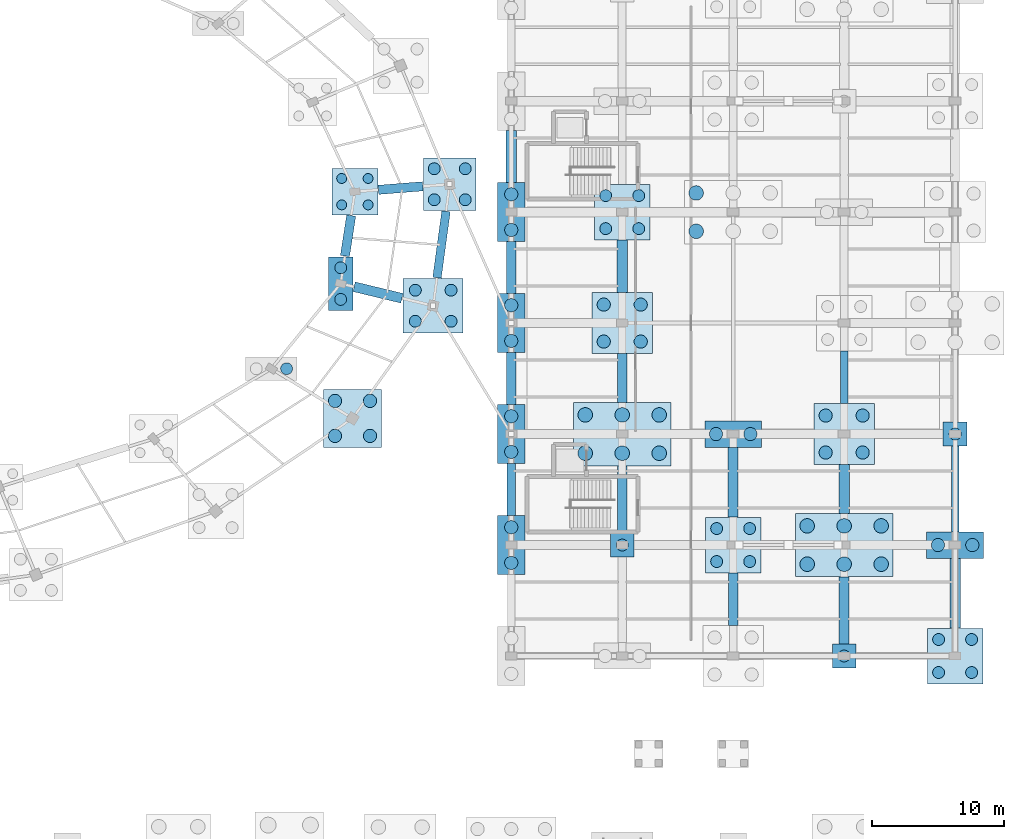
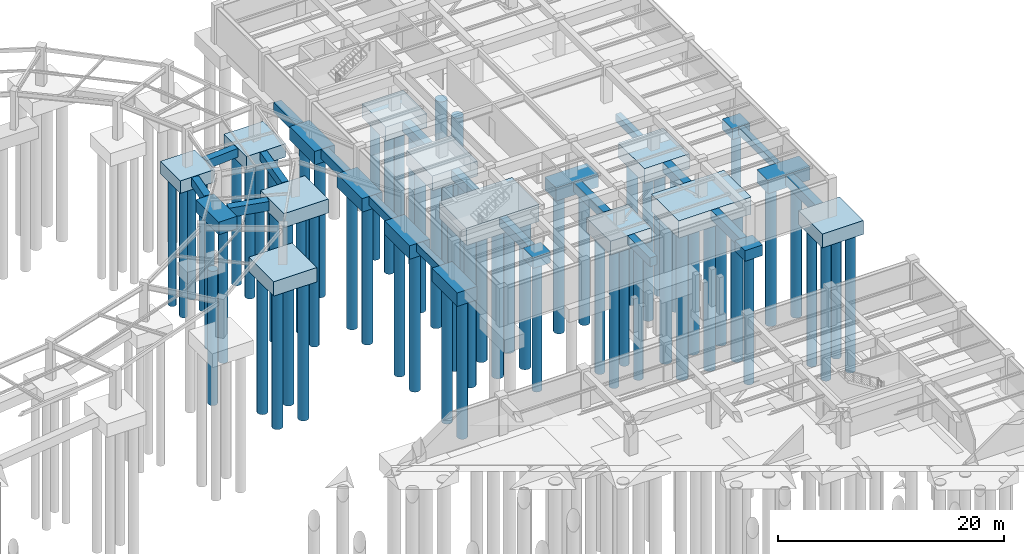
# One storey, part 9 of 38: 68 piles, 39 footings.
"""IFC4 building model written with IfcOpenShell, lengths in metres."""

from ifc_helpers import new_model, si_unit, direction, frame, origin, origin_2d, place, context, subcontext, project, spatial, polyline, rectangle, circle, outline, extrude, material, material_profile, profile_set, type_object, element, save


model = new_model("IFC4")

# Units and contexts
model_context = context("Model", 3, precision=1e-05, world=origin(), true_north=direction((0.0, 1.0)))
body_context = subcontext(model_context, "Body", "Model", "MODEL_VIEW")
ifc_project = project(units=[si_unit("LENGTHUNIT", "METRE"), si_unit("AREAUNIT", "SQUARE_METRE"), si_unit("VOLUMEUNIT", "CUBIC_METRE"), si_unit("PLANEANGLEUNIT", "RADIAN"), si_unit("MASSUNIT", "GRAM", prefix="KILO"), si_unit("THERMODYNAMICTEMPERATUREUNIT", "KELVIN"), si_unit("POWERUNIT", "WATT")], contexts=[model_context])

# Site, building, storey
site_placement = place(None, origin())
site = spatial("IfcSite", under=ifc_project, at=site_placement, CompositionType="ELEMENT")
building_placement = place(site_placement, origin())
building = spatial("IfcBuilding", under=site, at=building_placement, Name="Darbajah Civic Hall", CompositionType="ELEMENT")
storey_placement = place(building_placement, frame((0.0, 0.0, -4.199951171875)))
storey = spatial("IfcBuildingStorey", under=building, at=storey_placement, Name="B01", CompositionType="ELEMENT", Elevation=-4.199951171875)

# Piles
ifc_material = material(Name="Concrete C45/55", Category="concrete")
ifc_material_profile_1 = material_profile(ifc_material, circle(Radius=0.5, at=origin_2d()), Name="BORED PILE D1000")
ifc_profile_set_1 = profile_set([ifc_material_profile_1], Name="Concrete C45/55")
pile_type_1 = type_object("IfcPileType", Name="BORED PILE D1000", PredefinedType="BORED", material=ifc_profile_set_1)
for number, where, z_axis, x_axis, name in (
    (1, (131.259521484375, 73.061279296875, -1.449951171875), (0.0, 0.0, -1.0), (1.0, 0.0, 0.0), "B01 bored pile P-1000 V1O-18-1"),
    (2, (133.90966796875, 73.061279296875, -1.449951171875), (0.0, 0.0, -1.0), (1.0, 0.0, 0.0), "B01 bored pile P-1000 V1O-18-2"),
    (3, (131.259521484375, 75.711181640625, -1.449951171875), (0.0, 0.0, -1.0), (1.0, 0.0, 0.0), "B01 bored pile P-1000 V1O-18-3"),
    (4, (133.90966796875, 75.711181640625, -1.449951171875), (0.0, 0.0, -1.0), (1.0, 0.0, 0.0), "B01 bored pile P-1000 V1O-18-4"),
    (5, (144.60009765625, 63.449951171875, -1.35009765625), (0.0, 0.0, -1.0), (1.0, 0.0, 0.0), "B01 bored pile P-1000 V4-00-01-1"),
    (6, (144.60009765625, 66.14990234375, -1.35009765625), (0.0, 0.0, -1.0), (1.0, 0.0, 0.0), "B01 bored pile P-1000 V4-00-01-2"),
    (7, (144.60009765625, 71.85009765625, -1.35009765625), (0.0, 0.0, -1.0), (1.0, 0.0, 0.0), "B01 bored pile P-1000 V4-00-02-1"),
    (8, (144.60009765625, 74.550048828125, -1.35009765625), (0.0, 0.0, -1.0), (1.0, 0.0, 0.0), "B01 bored pile P-1000 V4-00-02-2"),
    (9, (144.60009765625, 80.25, -1.35009765625), (0.0, 0.0, -1.0), (1.0, 0.0, 0.0), "B01 bored pile P-1000 V4-00-03-1"),
    (10, (144.60009765625, 82.949951171875, -1.35009765625), (0.0, 0.0, -1.0), (1.0, 0.0, 0.0), "B01 bored pile P-1000 V4-00-03-2"),
    (11, (144.60009765625, 88.64990234375, -1.35009765625), (0.0, 0.0, -1.0), (1.0, 0.0, 0.0), "B01 bored pile P-1000 V4-00-04-1"),
    (12, (144.60009765625, 91.35009765625, -1.35009765625), (0.0, 0.0, -1.0), (1.0, 0.0, 0.0), "B01 bored pile P-1000 V4-00-04-2"),
):
    element("IfcPile", number, at=place(storey_placement, frame(where, z_axis=z_axis, x_axis=x_axis)), inside=storey, type_object=pile_type_1, Name=name, PredefinedType="BORED", context=body_context, shape_type="SweptSolid", body=[
        extrude(circle(Radius=0.5, at=origin_2d()), origin(), (0.0, 0.0, 1.0), 15.0),
    ])
for number, where, z_axis, x_axis, name in (
    (13, (151.60009765625, 80.199951171875, -1.5), (0.0, 0.0, -1.0), (1.0, 0.0, 0.0), "B01 bored pile P-1000 V4-01-03-1"),
    (14, (154.39990234375, 80.199951171875, -1.5), (0.0, 0.0, -1.0), (1.0, 0.0, 0.0), "B01 bored pile P-1000 V4-01-03-2"),
    (15, (151.60009765625, 83.0, -1.5), (0.0, 0.0, -1.0), (1.0, 0.0, 0.0), "B01 bored pile P-1000 V4-01-03-3"),
    (16, (154.39990234375, 83.0, -1.5), (0.0, 0.0, -1.0), (1.0, 0.0, 0.0), "B01 bored pile P-1000 V4-01-03-4"),
):
    element("IfcPile", number, at=place(storey_placement, frame(where, z_axis=z_axis, x_axis=x_axis)), inside=storey, type_object=pile_type_1, Name=name, PredefinedType="BORED", context=body_context, shape_type="SweptSolid", body=[
        extrude(circle(Radius=0.5, at=origin_2d()), origin(), (0.0, 0.0, 1.0), 15.5),
    ])
for number, where, z_axis, x_axis, name in (
    (17, (160.10009765625, 73.199951171875, -1.300048828125), (0.0, 0.0, -1.0), (1.0, 0.0, 0.0), "B01 bored pile P-1000 V4-02-02-1"),
    (18, (162.699951171875, 73.199951171875, -1.300048828125), (0.0, 0.0, -1.0), (1.0, 0.0, 0.0), "B01 bored pile P-1000 V4-02-02-2"),
):
    element("IfcPile", number, at=place(storey_placement, frame(where, z_axis=z_axis, x_axis=x_axis)), inside=storey, type_object=pile_type_1, Name=name, PredefinedType="BORED", context=body_context, shape_type="SweptSolid", body=[
        extrude(circle(Radius=0.5, at=origin_2d()), origin(), (0.0, 0.0, 1.0), 15.0),
    ])
for number, where, z_axis, x_axis, name in (
    (19, (168.39990234375, 71.800048828125, -1.5), (0.0, 0.0, -1.0), (1.0, 0.0, 0.0), "B01 bored pile P-1000 V4-03-02-1"),
    (20, (171.199951171875, 71.800048828125, -1.5), (0.0, 0.0, -1.0), (1.0, 0.0, 0.0), "B01 bored pile P-1000 V4-03-02-2"),
    (21, (168.39990234375, 74.60009765625, -1.5), (0.0, 0.0, -1.0), (1.0, 0.0, 0.0), "B01 bored pile P-1000 V4-03-02-3"),
    (22, (171.199951171875, 74.60009765625, -1.5), (0.0, 0.0, -1.0), (1.0, 0.0, 0.0), "B01 bored pile P-1000 V4-03-02-4"),
):
    element("IfcPile", number, at=place(storey_placement, frame(where, z_axis=z_axis, x_axis=x_axis)), inside=storey, type_object=pile_type_1, Name=name, PredefinedType="BORED", context=body_context, shape_type="SweptSolid", body=[
        extrude(circle(Radius=0.5, at=origin_2d()), origin(), (0.0, 0.0, 1.0), 15.5),
    ])
for number, where, z_axis, x_axis, name in (
    (23, (176.89990234375, 64.800048828125, -1.300048828125), (0.0, 0.0, -1.0), (1.0, 0.0, 0.0), "B01 bored pile P-1000 V4-04-01-1"),
    (24, (179.5, 64.800048828125, -1.300048828125), (0.0, 0.0, -1.0), (1.0, 0.0, 0.0), "B01 bored pile P-1000 V4-04-01-2"),
):
    element("IfcPile", number, at=place(storey_placement, frame(where, z_axis=z_axis, x_axis=x_axis)), inside=storey, type_object=pile_type_1, Name=name, PredefinedType="BORED", context=body_context, shape_type="SweptSolid", body=[
        extrude(circle(Radius=0.5, at=origin_2d()), origin(), (0.0, 0.0, 1.0), 15.0),
    ])
ifc_material_profile_2 = material_profile(ifc_material, circle(Radius=0.550048828125, at=origin_2d()), Name="BORED PILE D1100")
ifc_profile_set_2 = profile_set([ifc_material_profile_2], Name="Concrete C45/55")
pile_type_2 = type_object("IfcPileType", Name="BORED PILE D1100", PredefinedType="BORED", material=ifc_profile_set_2)
for number, where, z_axis, x_axis, name in (
    (25, (150.199951171875, 71.75, -1.75), (0.0, 0.0, -1.0), (1.0, 0.0, 0.0), "B01 bored pile P-1100 V4-01-02-1"),
    (26, (153.0, 71.75, -1.75), (0.0, 0.0, -1.0), (1.0, 0.0, 0.0), "B01 bored pile P-1100 V4-01-02-2"),
    (27, (155.800048828125, 71.75, -1.75), (0.0, 0.0, -1.0), (1.0, 0.0, 0.0), "B01 bored pile P-1100 V4-01-02-3"),
    (28, (150.199951171875, 74.64990234375, -1.75), (0.0, 0.0, -1.0), (1.0, 0.0, 0.0), "B01 bored pile P-1100 V4-01-02-4"),
    (29, (153.0, 74.64990234375, -1.75), (0.0, 0.0, -1.0), (1.0, 0.0, 0.0), "B01 bored pile P-1100 V4-01-02-5"),
    (30, (155.800048828125, 74.64990234375, -1.75), (0.0, 0.0, -1.0), (1.0, 0.0, 0.0), "B01 bored pile P-1100 V4-01-02-6"),
    (31, (158.60009765625, 88.550048828125, -1.75), (0.0, 0.0, -1.0), (1.0, 0.0, 0.0), "B01 bored pile P-1100 V4-02-04-1"),
    (32, (158.60009765625, 91.449951171875, -1.75), (0.0, 0.0, -1.0), (1.0, 0.0, 0.0), "B01 bored pile P-1100 V4-02-04-4"),
    (33, (167.0, 63.35009765625, -1.75), (0.0, 0.0, -1.0), (1.0, 0.0, 0.0), "B01 bored pile P-1100 V4-03-01-1"),
    (34, (169.800048828125, 63.35009765625, -1.75), (0.0, 0.0, -1.0), (1.0, 0.0, 0.0), "B01 bored pile P-1100 V4-03-01-2"),
    (35, (172.60009765625, 63.35009765625, -1.75), (0.0, 0.0, -1.0), (1.0, 0.0, 0.0), "B01 bored pile P-1100 V4-03-01-3"),
    (36, (167.0, 66.25, -1.75), (0.0, 0.0, -1.0), (1.0, 0.0, 0.0), "B01 bored pile P-1100 V4-03-01-4"),
    (37, (169.800048828125, 66.25, -1.75), (0.0, 0.0, -1.0), (1.0, 0.0, 0.0), "B01 bored pile P-1100 V4-03-01-5"),
    (38, (172.60009765625, 66.25, -1.75), (0.0, 0.0, -1.0), (1.0, 0.0, 0.0), "B01 bored pile P-1100 V4-03-01-6"),
):
    element("IfcPile", number, at=place(storey_placement, frame(where, z_axis=z_axis, x_axis=x_axis)), inside=storey, type_object=pile_type_2, Name=name, PredefinedType="BORED", context=body_context, shape_type="SweptSolid", body=[
        extrude(circle(Radius=0.550048828125, at=origin_2d()), origin(), (0.0, 0.0, 1.0), 16.0),
    ])
ifc_material_profile_3 = material_profile(ifc_material, circle(Radius=0.375, at=origin_2d()), Name="BORED PILE D750")
ifc_profile_set_3 = profile_set([ifc_material_profile_3], Name="Concrete C45/55")
pile_type_3 = type_object("IfcPileType", Name="BORED PILE D750", PredefinedType="BORED", material=ifc_profile_set_3)
for number, where, z_axis, x_axis, name in (
    (39, (131.764892578125, 90.549560546875, -1.25), (0.0, 0.0, -1.0), (1.0, 0.0, 0.0), "B01 bored pile P-750 V1I-00-1"),
    (40, (133.764892578125, 90.549560546875, -1.25), (0.0, 0.0, -1.0), (1.0, 0.0, 0.0), "B01 bored pile P-750 V1I-00-2"),
    (41, (131.764892578125, 92.549560546875, -1.25), (0.0, 0.0, -1.0), (1.0, 0.0, 0.0), "B01 bored pile P-750 V1I-00-3"),
    (42, (133.764892578125, 92.549560546875, -1.25), (0.0, 0.0, -1.0), (1.0, 0.0, 0.0), "B01 bored pile P-750 V1I-00-4"),
):
    element("IfcPile", number, at=place(storey_placement, frame(where, z_axis=z_axis, x_axis=x_axis)), inside=storey, type_object=pile_type_3, Name=name, PredefinedType="BORED", context=body_context, shape_type="SweptSolid", body=[
        extrude(circle(Radius=0.375, at=origin_2d()), origin(), (0.0, 0.0, 1.0), 14.0),
    ])
ifc_material_profile_4 = material_profile(ifc_material, circle(Radius=0.449951171875, at=origin_2d()), Name="BORED PILE D900")
ifc_profile_set_4 = profile_set([ifc_material_profile_4], Name="Concrete C45/55")
pile_type_4 = type_object("IfcPileType", Name="BORED PILE D900", PredefinedType="BORED", material=ifc_profile_set_4)
for number, where, z_axis, x_axis, name in (
    (43, (138.767822265625, 90.939453125, -1.35009765625), (0.0, 0.0, -1.0), (1.0, 0.0, 0.0), "B01 bored pile P-900 V1O-00-1"),
    (44, (141.117919921875, 90.939453125, -1.35009765625), (0.0, 0.0, -1.0), (1.0, 0.0, 0.0), "B01 bored pile P-900 V1O-00-2"),
    (45, (138.767822265625, 93.28955078125, -1.35009765625), (0.0, 0.0, -1.0), (1.0, 0.0, 0.0), "B01 bored pile P-900 V1O-00-3"),
    (46, (141.117919921875, 93.28955078125, -1.35009765625), (0.0, 0.0, -1.0), (1.0, 0.0, 0.0), "B01 bored pile P-900 V1O-00-4"),
    (47, (127.595703125, 78.148193359375, -1.199951171875), (0.0, 0.0, -1.0), (1.0, 0.0, 0.0), "B01 bored pile P-900 V1I-18-2"),
    (48, (137.3408203125, 81.73828125, -1.420166015625), (0.0, 0.0, -1.0), (1.0, 0.0, 0.0), "B01 bored pile P-900 V1O-19-1"),
    (49, (140.041015625, 81.73828125, -1.420166015625), (0.0, 0.0, -1.0), (1.0, 0.0, 0.0), "B01 bored pile P-900 V1O-19-2"),
    (50, (137.3408203125, 84.08837890625, -1.420166015625), (0.0, 0.0, -1.0), (1.0, 0.0, 0.0), "B01 bored pile P-900 V1O-19-3"),
    (51, (140.041015625, 84.08837890625, -1.420166015625), (0.0, 0.0, -1.0), (1.0, 0.0, 0.0), "B01 bored pile P-900 V1O-19-4"),
    (52, (131.689697265625, 83.394287109375, -1.25), (0.0, 0.0, -1.0), (1.0, 0.0, 0.0), "B01 bored pile P-900 V1I-19-1"),
    (53, (131.689697265625, 85.794189453125, -1.25), (0.0, 0.0, -1.0), (1.0, 0.0, 0.0), "B01 bored pile P-900 V1I-19-2"),
):
    element("IfcPile", number, at=place(storey_placement, frame(where, z_axis=z_axis, x_axis=x_axis)), inside=storey, type_object=pile_type_4, Name=name, PredefinedType="BORED", context=body_context, shape_type="SweptSolid", body=[
        extrude(circle(Radius=0.449951171875, at=origin_2d()), origin(), (0.0, 0.0, 1.0), 14.5),
    ])
pile_1_placement = place(storey_placement, frame((153.0, 64.800048828125, -1.050048828125), z_axis=(0.0, 0.0, -1.0), x_axis=(1.0, 0.0, 0.0)))
element("IfcPile", 54, at=pile_1_placement, inside=storey, type_object=pile_type_4, Name="B01 bored pile P-900 V4-01-01-1", PredefinedType="BORED", context=body_context, shape_type="SweptSolid", body=[
    extrude(circle(Radius=0.449951171875, at=origin_2d()), origin(), (0.0, 0.0, 1.0), 14.0),
])
for number, where, z_axis, x_axis, name in (
    (55, (151.75, 88.75, -1.400146484375), (0.0, 0.0, -1.0), (1.0, 0.0, 0.0), "B01 bored pile P-900 V4-01-04-1"),
    (56, (154.25, 88.75, -1.400146484375), (0.0, 0.0, -1.0), (1.0, 0.0, 0.0), "B01 bored pile P-900 V4-01-04-2"),
    (57, (151.75, 91.25, -1.400146484375), (0.0, 0.0, -1.0), (1.0, 0.0, 0.0), "B01 bored pile P-900 V4-01-04-3"),
    (58, (154.25, 91.25, -1.400146484375), (0.0, 0.0, -1.0), (1.0, 0.0, 0.0), "B01 bored pile P-900 V4-01-04-4"),
    (59, (160.14990234375, 63.550048828125, -1.400146484375), (0.0, 0.0, -1.0), (1.0, 0.0, 0.0), "B01 bored pile P-900 V4-02-01-1"),
    (60, (162.64990234375, 63.550048828125, -1.400146484375), (0.0, 0.0, -1.0), (1.0, 0.0, 0.0), "B01 bored pile P-900 V4-02-01-2"),
    (61, (160.14990234375, 66.050048828125, -1.400146484375), (0.0, 0.0, -1.0), (1.0, 0.0, 0.0), "B01 bored pile P-900 V4-02-01-3"),
    (62, (162.64990234375, 66.050048828125, -1.400146484375), (0.0, 0.0, -1.0), (1.0, 0.0, 0.0), "B01 bored pile P-900 V4-02-01-4"),
):
    element("IfcPile", number, at=place(storey_placement, frame(where, z_axis=z_axis, x_axis=x_axis)), inside=storey, type_object=pile_type_4, Name=name, PredefinedType="BORED", context=body_context, shape_type="SweptSolid", body=[
        extrude(circle(Radius=0.449951171875, at=origin_2d()), origin(), (0.0, 0.0, 1.0), 15.0),
    ])
pile_2_placement = place(storey_placement, frame((169.800048828125, 56.39990234375, -1.050048828125), z_axis=(0.0, 0.0, -1.0), x_axis=(1.0, 0.0, 0.0)))
element("IfcPile", 63, at=pile_2_placement, inside=storey, type_object=pile_type_4, Name="B01 bored pile P-900 V4-03-00-1", PredefinedType="BORED", context=body_context, shape_type="SweptSolid", body=[
    extrude(circle(Radius=0.449951171875, at=origin_2d()), origin(), (0.0, 0.0, 1.0), 14.0),
])
for number, where, z_axis, x_axis, name in (
    (64, (176.949951171875, 55.14990234375, -1.400146484375), (0.0, 0.0, -1.0), (1.0, 0.0, 0.0), "B01 bored pile P-900 V4-04-00-1"),
    (65, (179.449951171875, 55.14990234375, -1.400146484375), (0.0, 0.0, -1.0), (1.0, 0.0, 0.0), "B01 bored pile P-900 V4-04-00-2"),
    (66, (176.949951171875, 57.64990234375, -1.400146484375), (0.0, 0.0, -1.0), (1.0, 0.0, 0.0), "B01 bored pile P-900 V4-04-00-3"),
    (67, (179.449951171875, 57.64990234375, -1.400146484375), (0.0, 0.0, -1.0), (1.0, 0.0, 0.0), "B01 bored pile P-900 V4-04-00-4"),
):
    element("IfcPile", number, at=place(storey_placement, frame(where, z_axis=z_axis, x_axis=x_axis)), inside=storey, type_object=pile_type_4, Name=name, PredefinedType="BORED", context=body_context, shape_type="SweptSolid", body=[
        extrude(circle(Radius=0.449951171875, at=origin_2d()), origin(), (0.0, 0.0, 1.0), 15.0),
    ])
pile_3_placement = place(storey_placement, frame((178.199951171875, 73.199951171875, -1.050048828125), z_axis=(0.0, 0.0, -1.0), x_axis=(1.0, 0.0, 0.0)))
element("IfcPile", 68, at=pile_3_placement, inside=storey, type_object=pile_type_4, Name="B01 bored pile P-900 V4-04-02-1", PredefinedType="BORED", context=body_context, shape_type="SweptSolid", body=[
    extrude(circle(Radius=0.449951171875, at=origin_2d()), origin(), (0.0, 0.0, 1.0), 14.0),
])

# Footings
footing_type_1 = type_object("IfcFootingType", Name="Ground Strip Footing 550x800", PredefinedType="STRIP_FOOTING", material=ifc_material)
footing_1_placement = place(storey_placement, frame((0.0, 0.0, -0.800048828125)))
element("IfcFooting", 69, at=footing_1_placement, inside=storey, type_object=footing_type_1, Name="B01 ground strip footing SF-06", PredefinedType="STRIP_FOOTING", context=body_context, shape_type="SweptSolid", body=[
    extrude(outline(polyline([(170.074951171875, 75.5048828125), (170.074951171875, 79.4951171875), (169.52490234375, 79.4951171875), (169.52490234375, 75.5048828125), (170.074951171875, 75.5048828125)])), origin(), (0.0, 0.0, 1.0), 0.800048828125),
])
footing_2_placement = place(storey_placement, frame((0.0, 0.0, -0.800048828125)))
element("IfcFooting", 70, at=footing_2_placement, inside=storey, type_object=footing_type_1, Name="B01 ground strip footing SF-06", PredefinedType="STRIP_FOOTING", context=body_context, shape_type="SweptSolid", body=[
    extrude(outline(polyline([(178.47509765625, 65.804931640625), (178.47509765625, 72.294921875), (177.925048828125, 72.294921875), (177.925048828125, 65.804931640625), (178.47509765625, 65.804931640625)])), origin(), (0.0, 0.0, 1.0), 0.800048828125),
])
footing_type_2 = type_object("IfcFootingType", Name="Ground Strip Footing 650x900", PredefinedType="STRIP_FOOTING", material=ifc_material)
footing_3_placement = place(storey_placement, frame((0.0, 0.0, -0.900146484375)))
element("IfcFooting", 71, at=footing_3_placement, inside=storey, type_object=footing_type_2, Name="B01 ground strip footing SF-02", PredefinedType="STRIP_FOOTING", context=body_context, shape_type="SweptSolid", body=[
    extrude(outline(polyline([(139.302001953125, 84.993408203125), (139.986083984375, 90.02197265625), (139.342041015625, 90.109619140625), (138.65771484375, 85.0810546875), (139.302001953125, 84.993408203125)])), origin(), (0.0, 0.0, 1.0), 0.900146484375),
])
footing_4_placement = place(storey_placement, frame((0.0, 0.0, -0.900146484375)))
element("IfcFooting", 72, at=footing_4_placement, inside=storey, type_object=footing_type_2, Name="B01 ground strip footing SF-02", PredefinedType="STRIP_FOOTING", context=body_context, shape_type="SweptSolid", body=[
    extrude(outline(polyline([(144.925048828125, 67.030029296875), (144.925048828125, 70.969970703125), (144.27490234375, 70.969970703125), (144.27490234375, 67.030029296875), (144.925048828125, 67.030029296875)])), origin(), (0.0, 0.0, 1.0), 0.900146484375),
])
footing_type_3 = type_object("IfcFootingType", Name="Ground Strip Footing 700x950", PredefinedType="STRIP_FOOTING", material=ifc_material)
footing_5_placement = place(storey_placement, frame((0.0, 0.0, -0.949951171875)))
element("IfcFooting", 73, at=footing_5_placement, inside=storey, type_object=footing_type_3, Name="B01 ground strip footing SF-03", PredefinedType="STRIP_FOOTING", context=body_context, shape_type="SweptSolid", body=[
    extrude(outline(polyline([(134.574951171875, 91.341064453125), (137.937744140625, 91.605712890625), (137.8828125, 92.303466796875), (134.52001953125, 92.038818359375), (134.574951171875, 91.341064453125)])), origin(), (0.0, 0.0, 1.0), 0.949951171875),
])
footing_6_placement = place(storey_placement, frame((0.0, 0.0, -0.949951171875)))
element("IfcFooting", 74, at=footing_6_placement, inside=storey, type_object=footing_type_3, Name="B01 ground strip footing SF-03", PredefinedType="STRIP_FOOTING", context=body_context, shape_type="SweptSolid", body=[
    extrude(outline(polyline([(132.35791015625, 86.624267578125), (132.831298828125, 89.687744140625), (132.139404296875, 89.794677734375), (131.666015625, 86.731201171875), (132.35791015625, 86.624267578125)])), origin(), (0.0, 0.0, 1.0), 0.949951171875),
])
footing_7_placement = place(storey_placement, frame((0.0, 0.0, -0.949951171875)))
element("IfcFooting", 75, at=footing_7_placement, inside=storey, type_object=footing_type_3, Name="B01 ground strip footing SF-03", PredefinedType="STRIP_FOOTING", context=body_context, shape_type="SweptSolid", body=[
    extrude(outline(polyline([(144.949951171875, 75.429931640625), (144.949951171875, 79.3701171875), (144.25, 79.3701171875), (144.25, 75.429931640625), (144.949951171875, 75.429931640625)])), origin(), (0.0, 0.0, 1.0), 0.949951171875),
])
footing_8_placement = place(storey_placement, frame((0.0, 0.0, -0.949951171875)))
element("IfcFooting", 76, at=footing_8_placement, inside=storey, type_object=footing_type_3, Name="B01 ground strip footing SF-03", PredefinedType="STRIP_FOOTING", context=body_context, shape_type="SweptSolid", body=[
    extrude(outline(polyline([(153.35009765625, 65.705078125), (153.35009765625, 70.794921875), (152.64990234375, 70.794921875), (152.64990234375, 65.705078125), (153.35009765625, 65.705078125)])), origin(), (0.0, 0.0, 1.0), 0.949951171875),
])
footing_9_placement = place(storey_placement, frame((0.0, 0.0, -0.949951171875)))
element("IfcFooting", 77, at=footing_9_placement, inside=storey, type_object=footing_type_3, Name="B01 ground strip footing SF-03", PredefinedType="STRIP_FOOTING", context=body_context, shape_type="SweptSolid", body=[
    extrude(outline(polyline([(161.75, 58.705078125), (161.75, 62.695068359375), (161.050048828125, 62.695068359375), (161.050048828125, 58.705078125), (161.75, 58.705078125)])), origin(), (0.0, 0.0, 1.0), 0.949951171875),
])
footing_type_4 = type_object("IfcFootingType", Name="Ground Strip Footing 750x1000", PredefinedType="STRIP_FOOTING", material=ifc_material)
footing_10_placement = place(storey_placement, frame((0.0, 0.0, -1.0)))
element("IfcFooting", 78, at=footing_10_placement, inside=storey, type_object=footing_type_4, Name="B01 ground strip footing SF-04", PredefinedType="STRIP_FOOTING", context=body_context, shape_type="SweptSolid", body=[
    extrude(outline(polyline([(132.619873046875, 83.9853515625), (136.23583984375, 83.1171875), (136.410888671875, 83.846435546875), (132.794921875, 84.714599609375), (132.619873046875, 83.9853515625)])), origin(), (0.0, 0.0, 1.0), 1.0),
])
footing_11_placement = place(storey_placement, frame((0.0, 0.0, -1.0)))
element("IfcFooting", 79, at=footing_11_placement, inside=storey, type_object=footing_type_4, Name="B01 ground strip footing SF-04", PredefinedType="STRIP_FOOTING", context=body_context, shape_type="SweptSolid", body=[
    extrude(outline(polyline([(144.97509765625, 83.830078125), (144.97509765625, 87.77001953125), (144.22509765625, 87.77001953125), (144.22509765625, 83.830078125), (144.97509765625, 83.830078125)])), origin(), (0.0, 0.0, 1.0), 1.0),
])
footing_12_placement = place(storey_placement, frame((0.0, 0.0, -1.0)))
element("IfcFooting", 80, at=footing_12_placement, inside=storey, type_object=footing_type_4, Name="B01 ground strip footing SF-04", PredefinedType="STRIP_FOOTING", context=body_context, shape_type="SweptSolid", body=[
    extrude(outline(polyline([(153.375, 75.60498046875), (153.375, 79.294921875), (152.625, 79.294921875), (152.625, 75.60498046875), (153.375, 75.60498046875)])), origin(), (0.0, 0.0, 1.0), 1.0),
])
footing_13_placement = place(storey_placement, frame((0.0, 0.0, -1.0)))
element("IfcFooting", 81, at=footing_13_placement, inside=storey, type_object=footing_type_4, Name="B01 ground strip footing SF-04", PredefinedType="STRIP_FOOTING", context=body_context, shape_type="SweptSolid", body=[
    extrude(outline(polyline([(161.77490234375, 66.905029296875), (161.77490234375, 72.195068359375), (161.02490234375, 72.195068359375), (161.02490234375, 66.905029296875), (161.77490234375, 66.905029296875)])), origin(), (0.0, 0.0, 1.0), 1.0),
])
footing_14_placement = place(storey_placement, frame((0.0, 0.0, -1.0)))
element("IfcFooting", 82, at=footing_14_placement, inside=storey, type_object=footing_type_4, Name="B01 ground strip footing SF-04", PredefinedType="STRIP_FOOTING", context=body_context, shape_type="SweptSolid", body=[
    extrude(outline(polyline([(170.175048828125, 57.304931640625), (170.175048828125, 62.39501953125), (169.425048828125, 62.39501953125), (169.425048828125, 57.304931640625), (170.175048828125, 57.304931640625)])), origin(), (0.0, 0.0, 1.0), 1.0),
])
footing_type_5 = type_object("IfcFootingType", Name="Ground Strip Footing 800x1050", PredefinedType="STRIP_FOOTING", material=ifc_material)
footing_15_placement = place(storey_placement, frame((0.0, 0.0, -1.050048828125)))
element("IfcFooting", 83, at=footing_15_placement, inside=storey, type_object=footing_type_5, Name="B01 ground strip footing SF-05", PredefinedType="STRIP_FOOTING", context=body_context, shape_type="SweptSolid", body=[
    extrude(outline(polyline([(145.0, 92.22998046875), (145.0, 96.169921875), (144.199951171875, 96.169921875), (144.199951171875, 92.22998046875), (145.0, 92.22998046875)])), origin(), (0.0, 0.0, 1.0), 1.050048828125),
])
footing_16_placement = place(storey_placement, frame((0.0, 0.0, -1.050048828125)))
element("IfcFooting", 84, at=footing_16_placement, inside=storey, type_object=footing_type_5, Name="B01 ground strip footing SF-05", PredefinedType="STRIP_FOOTING", context=body_context, shape_type="SweptSolid", body=[
    extrude(outline(polyline([(153.39990234375, 83.905029296875), (153.39990234375, 87.89501953125), (152.60009765625, 87.89501953125), (152.60009765625, 83.905029296875), (153.39990234375, 83.905029296875)])), origin(), (0.0, 0.0, 1.0), 1.050048828125),
])
footing_17_placement = place(storey_placement, frame((0.0, 0.0, -1.050048828125)))
element("IfcFooting", 85, at=footing_17_placement, inside=storey, type_object=footing_type_5, Name="B01 ground strip footing SF-05", PredefinedType="STRIP_FOOTING", context=body_context, shape_type="SweptSolid", body=[
    extrude(outline(polyline([(170.199951171875, 67.205078125), (170.199951171875, 70.89501953125), (169.39990234375, 70.89501953125), (169.39990234375, 67.205078125), (170.199951171875, 67.205078125)])), origin(), (0.0, 0.0, 1.0), 1.050048828125),
])
footing_18_placement = place(storey_placement, frame((0.0, 0.0, -1.050048828125)))
element("IfcFooting", 86, at=footing_18_placement, inside=storey, type_object=footing_type_5, Name="B01 ground strip footing SF-05", PredefinedType="STRIP_FOOTING", context=body_context, shape_type="SweptSolid", body=[
    extrude(outline(polyline([(178.60009765625, 58.5048828125), (178.60009765625, 63.794921875), (177.800048828125, 63.794921875), (177.800048828125, 58.5048828125), (178.60009765625, 58.5048828125)])), origin(), (0.0, 0.0, 1.0), 1.050048828125),
])
footing_type_6 = type_object("IfcFootingType", Name="Pile Cap 1800x1800x1150", PredefinedType="PILE_CAP", material=ifc_material)
for number, where, z_axis, x_axis, name in (
    (87, (153.0, 64.800048828125, -1.14990234375), (0.0, 0.0, 1.0), (1.0, 0.0, 0.0), "B01 pile cap PC-1B at V4-01-01"),
    (88, (169.800048828125, 56.39990234375, -1.14990234375), (0.0, 0.0, 1.0), (1.0, 0.0, 0.0), "B01 pile cap PC-1B at V4-03-00"),
    (89, (178.199951171875, 73.199951171875, -1.14990234375), (0.0, 0.0, 1.0), (1.0, 0.0, 0.0), "B01 pile cap PC-1B at V4-04-02"),
):
    element("IfcFooting", number, at=place(storey_placement, frame(where, z_axis=z_axis, x_axis=x_axis)), inside=storey, type_object=footing_type_6, Name=name, PredefinedType="PILE_CAP", context=body_context, shape_type="SweptSolid", body=[
        extrude(rectangle(XDim=1.800048828125, YDim=1.800048828125, at=origin_2d()), origin(), (0.0, 0.0, 1.0), 1.14990234375),
    ])
footing_type_7 = type_object("IfcFootingType", Name="Pile Cap 1850x4050x1350", PredefinedType="PILE_CAP", material=ifc_material)
footing_19_placement = place(storey_placement, frame((131.689697265625, 84.59423828125, -1.35009765625), z_axis=(0.0, 0.0, 1.0), x_axis=(1.0, 0.0, 0.0)))
element("IfcFooting", 90, at=footing_19_placement, inside=storey, type_object=footing_type_7, Name="B01 pile cap PC-2D at V1I-19", PredefinedType="PILE_CAP", context=body_context, shape_type="SweptSolid", body=[
    extrude(rectangle(XDim=1.85009765625, YDim=4.050048828125, at=origin_2d()), origin(), (0.0, 0.0, 1.0), 1.35009765625),
])
footing_type_8 = type_object("IfcFootingType", Name="Pile Cap 2050x4450x1450", PredefinedType="PILE_CAP", material=ifc_material)
for number, where, z_axis, x_axis, name in (
    (91, (144.60009765625, 64.800048828125, -1.4501953125), (0.0, 0.0, 1.0), (1.0, 0.0, 0.0), "B01 pile cap PC-2F at V4-00-01"),
    (92, (144.60009765625, 73.199951171875, -1.4501953125), (0.0, 0.0, 1.0), (1.0, 0.0, 0.0), "B01 pile cap PC-2F at V4-00-02"),
    (93, (144.60009765625, 81.60009765625, -1.4501953125), (0.0, 0.0, 1.0), (1.0, 0.0, 0.0), "B01 pile cap PC-2F at V4-00-03"),
    (94, (144.60009765625, 90.0, -1.4501953125), (0.0, 0.0, 1.0), (1.0, 0.0, 0.0), "B01 pile cap PC-2F at V4-00-04"),
):
    element("IfcFooting", number, at=place(storey_placement, frame(where, z_axis=z_axis, x_axis=x_axis)), inside=storey, type_object=footing_type_8, Name=name, PredefinedType="PILE_CAP", context=body_context, shape_type="SweptSolid", body=[
        extrude(rectangle(XDim=2.050048828125, YDim=4.449951171875, at=origin_2d()), origin(), (0.0, 0.0, 1.0), 1.449951171875),
    ])
footing_type_9 = type_object("IfcFootingType", Name="Pile Cap 3500x3500x1350", PredefinedType="PILE_CAP", material=ifc_material)
footing_20_placement = place(storey_placement, frame((132.764892578125, 91.549560546875, -1.35009765625), z_axis=(0.0, 0.0, 1.0), x_axis=(1.0, 0.0, 0.0)))
element("IfcFooting", 95, at=footing_20_placement, inside=storey, type_object=footing_type_9, Name="B01 pile cap PC-4A at V1I-00", PredefinedType="PILE_CAP", context=body_context, shape_type="SweptSolid", body=[
    extrude(rectangle(XDim=3.5, YDim=3.5, at=origin_2d()), origin(), (0.0, 0.0, 1.0), 1.35009765625),
])
footing_type_10 = type_object("IfcFootingType", Name="Pile Cap 4000x4000x1450", PredefinedType="PILE_CAP", material=ifc_material)
footing_21_placement = place(storey_placement, frame((139.94287109375, 92.114501953125, -1.4501953125), z_axis=(0.0, 0.0, 1.0), x_axis=(1.0, 0.0, 0.0)))
element("IfcFooting", 96, at=footing_21_placement, inside=storey, type_object=footing_type_10, Name="B01 pile cap PC-4C at V1O-00", PredefinedType="PILE_CAP", context=body_context, shape_type="SweptSolid", body=[
    extrude(rectangle(XDim=4.0, YDim=4.0, at=origin_2d()), origin(), (0.0, 0.0, 1.0), 1.449951171875),
])
footing_type_11 = type_object("IfcFootingType", Name="Pile Cap 4200x4200x1500", PredefinedType="PILE_CAP", material=ifc_material)
for number, where, z_axis, x_axis, name in (
    (97, (153.0, 90.0, -1.5), (0.0, 0.0, 1.0), (1.0, 0.0, 0.0), "B01 pile cap PC-4D at V4-01-04"),
    (98, (161.39990234375, 64.800048828125, -1.5), (0.0, 0.0, 1.0), (1.0, 0.0, 0.0), "B01 pile cap PC-4D at V4-02-01"),
    (99, (178.199951171875, 56.39990234375, -1.5), (0.0, 0.0, 1.0), (1.0, 0.0, 0.0), "B01 pile cap PC-4D at V4-04-00"),
):
    element("IfcFooting", number, at=place(storey_placement, frame(where, z_axis=z_axis, x_axis=x_axis)), inside=storey, type_object=footing_type_11, Name=name, PredefinedType="PILE_CAP", context=body_context, shape_type="SweptSolid", body=[
        extrude(rectangle(XDim=4.199951171875, YDim=4.199951171875, at=origin_2d()), origin(), (0.0, 0.0, 1.0), 1.5),
    ])
footing_type_12 = type_object("IfcFootingType", Name="Pile Cap 4300x2000x1400", PredefinedType="PILE_CAP", material=ifc_material)
for number, where, z_axis, x_axis, name in (
    (100, (161.39990234375, 73.199951171875, -1.39990234375), (0.0, 0.0, 1.0), (1.0, 0.0, 0.0), "B01 pile cap PC-2E at V4-02-02"),
    (101, (178.199951171875, 64.800048828125, -1.39990234375), (0.0, 0.0, 1.0), (1.0, 0.0, 0.0), "B01 pile cap PC-2E at V4-04-01"),
):
    element("IfcFooting", number, at=place(storey_placement, frame(where, z_axis=z_axis, x_axis=x_axis)), inside=storey, type_object=footing_type_12, Name=name, PredefinedType="PILE_CAP", context=body_context, shape_type="SweptSolid", body=[
        extrude(rectangle(XDim=4.300048828125, YDim=2.0, at=origin_2d()), origin(), (0.0, 0.0, 1.0), 1.39990234375),
    ])
footing_type_13 = type_object("IfcFootingType", Name="Pile Cap 4400x4400x1550", PredefinedType="PILE_CAP", material=ifc_material)
footing_22_placement = place(storey_placement, frame((132.584716796875, 74.38623046875, -1.55029296875), z_axis=(0.0, 0.0, 1.0), x_axis=(1.0, 0.0, 0.0)))
element("IfcFooting", 102, at=footing_22_placement, inside=storey, type_object=footing_type_13, Name="B01 pile cap PC-4E at V1O-18", PredefinedType="PILE_CAP", context=body_context, shape_type="SweptSolid", body=[
    extrude(rectangle(XDim=4.39990234375, YDim=4.39990234375, at=origin_2d()), origin(), (0.0, 0.0, 1.0), 1.550048828125),
])
footing_type_14 = type_object("IfcFootingType", Name="Pile Cap 4550x4150x1520", PredefinedType="PILE_CAP", material=ifc_material)
footing_23_placement = place(storey_placement, frame((138.69091796875, 82.913330078125, -1.52001953125), z_axis=(0.0, 0.0, 1.0), x_axis=(1.0, 0.0, 0.0)))
element("IfcFooting", 103, at=footing_23_placement, inside=storey, type_object=footing_type_14, Name="B01 pile cap PC-4K at V1O-19", PredefinedType="PILE_CAP", context=body_context, shape_type="SweptSolid", body=[
    extrude(rectangle(XDim=4.550048828125, YDim=4.14990234375, at=origin_2d()), origin(), (0.0, 0.0, 1.0), 1.52001953125),
])
footing_type_15 = type_object("IfcFootingType", Name="Pile Cap 4600x4600x1600", PredefinedType="PILE_CAP", material=ifc_material)
for number, where, z_axis, x_axis, name in (
    (104, (153.0, 81.60009765625, -1.60009765625), (0.0, 0.0, 1.0), (1.0, 0.0, 0.0), "B01 pile cap PC-4F at V4-01-03"),
    (105, (169.800048828125, 73.199951171875, -1.60009765625), (0.0, 0.0, 1.0), (1.0, 0.0, 0.0), "B01 pile cap PC-4F at V4-03-02"),
):
    element("IfcFooting", number, at=place(storey_placement, frame(where, z_axis=z_axis, x_axis=x_axis)), inside=storey, type_object=footing_type_15, Name=name, PredefinedType="PILE_CAP", context=body_context, shape_type="SweptSolid", body=[
        extrude(rectangle(XDim=4.60009765625, YDim=4.60009765625, at=origin_2d()), origin(), (0.0, 0.0, 1.0), 1.60009765625),
    ])
footing_type_16 = type_object("IfcFootingType", Name="Pile Cap 7400x4800x1850", PredefinedType="PILE_CAP", material=ifc_material)
for number, where, z_axis, x_axis, name in (
    (106, (153.0, 73.199951171875, -1.85009765625), (0.0, 0.0, 1.0), (1.0, 0.0, 0.0), "B01 pile cap PC-6B at V4-01-02"),
    (107, (169.800048828125, 64.800048828125, -1.85009765625), (0.0, 0.0, 1.0), (1.0, 0.0, 0.0), "B01 pile cap PC-6B at V4-03-01"),
):
    element("IfcFooting", number, at=place(storey_placement, frame(where, z_axis=z_axis, x_axis=x_axis)), inside=storey, type_object=footing_type_16, Name=name, PredefinedType="PILE_CAP", context=body_context, shape_type="SweptSolid", body=[
        extrude(rectangle(XDim=7.39990234375, YDim=4.800048828125, at=origin_2d()), origin(), (0.0, 0.0, 1.0), 1.85009765625),
    ])

save(model, "model.ifc")
